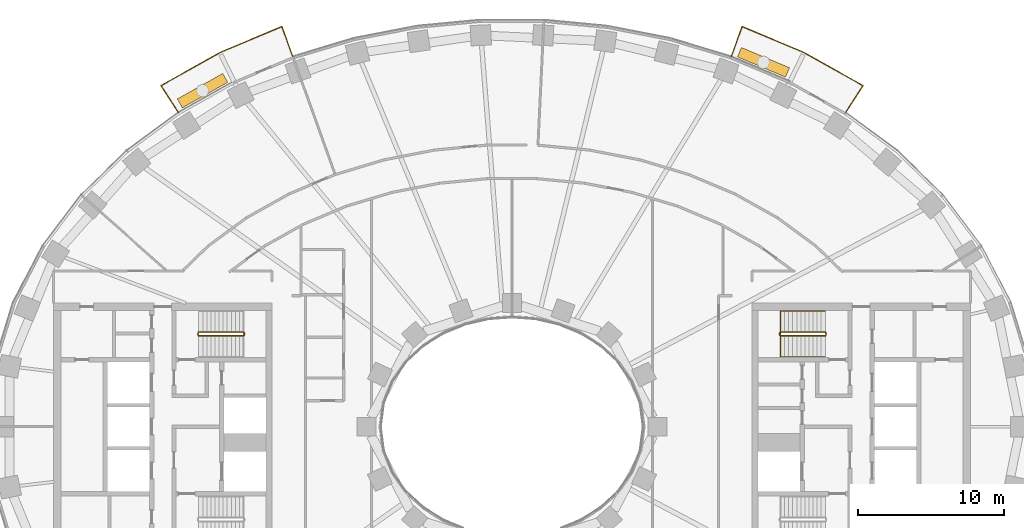
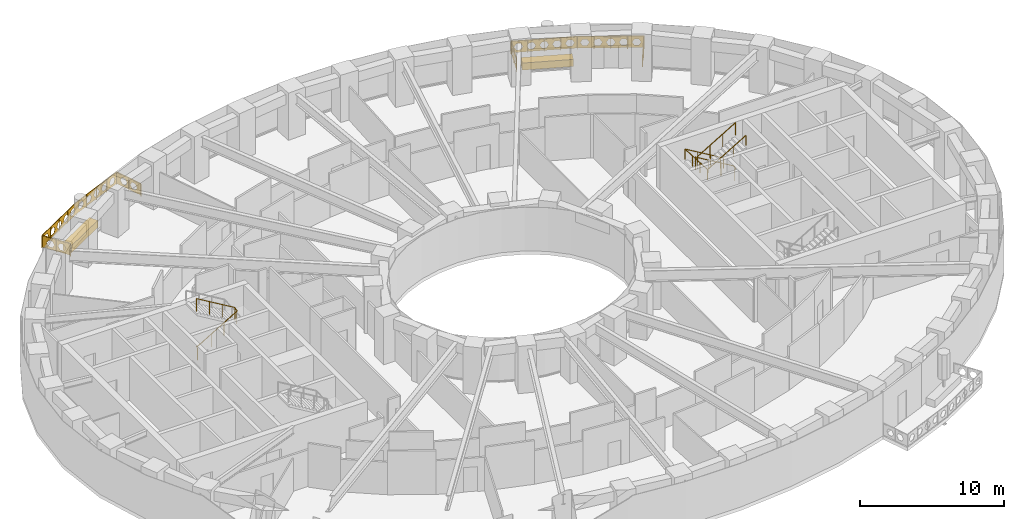
# One storey, part 15 of 16: 5 railings, 2 coverings.
"""IFC4 building model written with IfcOpenShell, lengths in metres."""

from ifc_helpers import new_model, si_unit, direction, frame, origin, origin_2d, place, context, subcontext, project, spatial, polyline, rectangle, outline, extrude, material, type_object, element, save


model = new_model("IFC4")

# Units and contexts
model_context = context("Model", 3, precision=1e-05, world=origin(), true_north=direction((0.0, 1.0)))
body_context = subcontext(model_context, "Body", "Model", "MODEL_VIEW")
ifc_project = project(units=[si_unit("LENGTHUNIT", "METRE"), si_unit("AREAUNIT", "SQUARE_METRE"), si_unit("VOLUMEUNIT", "CUBIC_METRE"), si_unit("PLANEANGLEUNIT", "RADIAN"), si_unit("MASSUNIT", "GRAM", prefix="KILO")], contexts=[model_context])

# Site, building, storey
site_placement = place(None, origin())
site = spatial("IfcSite", under=ifc_project, at=site_placement, CompositionType="ELEMENT")
building_placement = place(site_placement, origin())
building = spatial("IfcBuilding", under=site, at=building_placement, Name="Noorbagh Ring Tower", CompositionType="ELEMENT")
storey_placement = place(building_placement, frame((0.0, 0.0, 74.5)))
storey = spatial("IfcBuildingStorey", under=building, at=storey_placement, Name="L16", CompositionType="ELEMENT", Elevation=74.5)

# Railings
ifc_material_1 = material(Name="Stainless steel", Category="steel")
railing_type_1 = type_object("IfcRailingType", Name="CORE-STAIR-GUARD", PredefinedType="GUARDRAIL", material=ifc_material_1)
railing_1_placement = place(storey_placement, frame((-21.580078125, 6.300048828125, 0.0)))
element("IfcRailing", 1, at=railing_1_placement, inside=storey, type_object=railing_type_1, Name="L16 ST1 stair guard", PredefinedType="GUARDRAIL", context=body_context, shape_type="SweptSolid", body=[
    extrude(rectangle(XDim=0.048095703125, YDim=0.048095703125, at=origin_2d()), frame((0.0, 0.0, 1.076171875), z_axis=(0.0, 1.0, 0.0), x_axis=(-1.0, 0.0, 0.0)), (0.0, 0.0, 1.0), 0.14990234375),
    extrude(rectangle(XDim=0.048095703125, YDim=0.048095703125, at=origin_2d()), frame((0.0, 0.14990234375, 1.076171875), z_axis=(0.188775798145, -0.754182335027, 0.628945707965), x_axis=(0.970072785993, 0.242814311512, 0.0)), (0.0, 0.0, 1.0), 0.26513671875),
    extrude(rectangle(XDim=0.048095703125, YDim=0.048095703125, at=origin_2d()), frame((0.050048828125, -0.050048828125, 1.24267578125), z_axis=(0.859308565015, 0.0, 0.511457515432), x_axis=(0.0, 1.0, 0.0)), (0.0, 0.0, 1.0), 3.58447265625),
    extrude(rectangle(XDim=0.048095703125, YDim=0.048095703125, at=origin_2d()), frame((3.130126953125, -0.050048828125, 3.076171875), z_axis=(0.707106781187, 0.707106781187, 0.0), x_axis=(-0.707106781187, 0.707106781187, 0.0)), (0.0, 0.0, 1.0), 0.07080078125),
    extrude(rectangle(XDim=0.048095703125, YDim=0.048095703125, at=origin_2d()), frame((3.18017578125, 0.0, 3.076171875), z_axis=(0.0, 1.0, 0.0), x_axis=(-1.0, 0.0, 0.0)), (0.0, 0.0, 1.0), 0.14990234375),
    extrude(rectangle(XDim=0.048095703125, YDim=0.048095703125, at=origin_2d()), frame((3.18017578125, 0.14990234375, 3.076171875), z_axis=(-0.27628659633, 0.27628659633, 0.920506074601), x_axis=(-0.707106781187, -0.707106781187, 0.0)), (0.0, 0.0, 1.0), 0.18115234375),
    extrude(rectangle(XDim=0.048095703125, YDim=0.048095703125, at=origin_2d()), frame((3.130126953125, 0.199951171875, 3.24267578125), z_axis=(-0.859308565015, 0.0, 0.511457515432), x_axis=(0.0, -1.0, 0.0)), (0.0, 0.0, 1.0), 3.58447265625),
    extrude(rectangle(XDim=0.0419921875, YDim=0.0419921875, at=origin_2d()), origin(), (0.0, 0.0, 1.0), 1.052001953125),
    extrude(rectangle(XDim=0.0419921875, YDim=0.0419921875, at=origin_2d()), frame((1.07666015625, -0.050048828125, 0.77783203125)), (0.0, 0.0, 1.0), 1.052001953125),
    extrude(rectangle(XDim=0.0419921875, YDim=0.0419921875, at=origin_2d()), frame((2.103515625, -0.050048828125, 1.388916015625)), (0.0, 0.0, 1.0), 1.052001953125),
    extrude(rectangle(XDim=0.0419921875, YDim=0.0419921875, at=origin_2d()), frame((3.130126953125, -0.050048828125, 2.0)), (0.0, 0.0, 1.0), 1.052001953125),
    extrude(rectangle(XDim=0.0419921875, YDim=0.0419921875, at=origin_2d()), frame((3.130126953125, 0.199951171875, 2.166748046875)), (0.0, 0.0, 1.0), 1.052001953125),
    extrude(rectangle(XDim=0.0419921875, YDim=0.0419921875, at=origin_2d()), frame((2.103515625, 0.199951171875, 2.77783203125)), (0.0, 0.0, 1.0), 1.052001953125),
    extrude(rectangle(XDim=0.0419921875, YDim=0.0419921875, at=origin_2d()), frame((1.07666015625, 0.199951171875, 3.388916015625)), (0.0, 0.0, 1.0), 1.052001953125),
    extrude(rectangle(XDim=0.0419921875, YDim=0.0419921875, at=origin_2d()), frame((0.050048828125, 0.199951171875, 4.0)), (0.0, 0.0, 1.0), 1.052001953125),
])
railing_2_placement = place(storey_placement, frame((21.580078125, 6.449951171875, 0.0)))
element("IfcRailing", 2, at=railing_2_placement, inside=storey, type_object=railing_type_1, Name="L16 ST3 stair guard", PredefinedType="GUARDRAIL", context=body_context, shape_type="SweptSolid", body=[
    extrude(rectangle(XDim=0.048095703125, YDim=0.048095703125, at=origin_2d()), frame((0.0, 0.0, 1.076171875), z_axis=(0.0, -1.0, 0.0), x_axis=(1.0, 0.0, 0.0)), (0.0, 0.0, 1.0), 0.14990234375),
    extrude(rectangle(XDim=0.048095703125, YDim=0.048095703125, at=origin_2d()), frame((0.0, -0.14990234375, 1.076171875), z_axis=(-0.188775798145, 0.754182335027, 0.628945707965), x_axis=(-0.970072785993, -0.242814311512, 0.0)), (0.0, 0.0, 1.0), 0.26513671875),
    extrude(rectangle(XDim=0.048095703125, YDim=0.048095703125, at=origin_2d()), frame((-0.050048828125, 0.050048828125, 1.24267578125), z_axis=(-0.859308565015, 0.0, 0.511457515432), x_axis=(0.0, -1.0, 0.0)), (0.0, 0.0, 1.0), 3.58447265625),
    extrude(rectangle(XDim=0.048095703125, YDim=0.048095703125, at=origin_2d()), frame((-3.130126953125, 0.050048828125, 3.076171875), z_axis=(-0.707106781187, -0.707106781187, 0.0), x_axis=(0.707106781187, -0.707106781187, 0.0)), (0.0, 0.0, 1.0), 0.07080078125),
    extrude(rectangle(XDim=0.048095703125, YDim=0.048095703125, at=origin_2d()), frame((-3.18017578125, 0.0, 3.076171875), z_axis=(0.0, -1.0, 0.0), x_axis=(1.0, 0.0, 0.0)), (0.0, 0.0, 1.0), 0.14990234375),
    extrude(rectangle(XDim=0.048095703125, YDim=0.048095703125, at=origin_2d()), frame((-3.18017578125, -0.14990234375, 3.076171875), z_axis=(0.27628659633, -0.27628659633, 0.920506074601), x_axis=(0.707106781187, 0.707106781187, 0.0)), (0.0, 0.0, 1.0), 0.18115234375),
    extrude(rectangle(XDim=0.048095703125, YDim=0.048095703125, at=origin_2d()), frame((-3.130126953125, -0.199951171875, 3.24267578125), z_axis=(0.859308565015, 0.0, 0.511457515432), x_axis=(0.0, 1.0, 0.0)), (0.0, 0.0, 1.0), 3.58447265625),
    extrude(rectangle(XDim=0.0419921875, YDim=0.0419921875, at=origin_2d()), origin(), (0.0, 0.0, 1.0), 1.052001953125),
    extrude(rectangle(XDim=0.0419921875, YDim=0.0419921875, at=origin_2d()), frame((-1.07666015625, 0.050048828125, 0.77783203125)), (0.0, 0.0, 1.0), 1.052001953125),
    extrude(rectangle(XDim=0.0419921875, YDim=0.0419921875, at=origin_2d()), frame((-2.103515625, 0.050048828125, 1.388916015625)), (0.0, 0.0, 1.0), 1.052001953125),
    extrude(rectangle(XDim=0.0419921875, YDim=0.0419921875, at=origin_2d()), frame((-3.130126953125, 0.050048828125, 2.0)), (0.0, 0.0, 1.0), 1.052001953125),
    extrude(rectangle(XDim=0.0419921875, YDim=0.0419921875, at=origin_2d()), frame((-3.130126953125, -0.199951171875, 2.166748046875)), (0.0, 0.0, 1.0), 1.052001953125),
    extrude(rectangle(XDim=0.0419921875, YDim=0.0419921875, at=origin_2d()), frame((-2.103515625, -0.199951171875, 2.77783203125)), (0.0, 0.0, 1.0), 1.052001953125),
    extrude(rectangle(XDim=0.0419921875, YDim=0.0419921875, at=origin_2d()), frame((-1.07666015625, -0.199951171875, 3.388916015625)), (0.0, 0.0, 1.0), 1.052001953125),
    extrude(rectangle(XDim=0.0419921875, YDim=0.0419921875, at=origin_2d()), frame((-0.050048828125, -0.199951171875, 4.0)), (0.0, 0.0, 1.0), 1.052001953125),
])
ifc_material_2 = material(Name="Stainless steel", Category="steel")
railing_type_2 = type_object("IfcRailingType", Name="CORE-STAIR-HANDRAIL", PredefinedType="HANDRAIL", material=ifc_material_2)
railing_3_placement = place(storey_placement, frame((21.530029296875, 7.949951171875, 0.166748046875)))
element("IfcRailing", 3, at=railing_3_placement, inside=storey, type_object=railing_type_2, Name="L16 ST3 stair handrail", PredefinedType="HANDRAIL", context=body_context, shape_type="SweptSolid", body=[
    extrude(rectangle(XDim=0.048095703125, YDim=0.048095703125, at=origin_2d()), frame((0.0, 0.0, 0.8759765625), z_axis=(-0.859308565015, 0.0, 0.511457515432), x_axis=(0.0, -1.0, 0.0)), (0.0, 0.0, 1.0), 3.58447265625),
    extrude(rectangle(XDim=0.048095703125, YDim=0.048095703125, at=origin_2d()), frame((-3.080078125, 0.0, 2.708984375), z_axis=(0.0, -0.998601747152, 0.052863509014), x_axis=(1.0, 0.0, 0.0)), (0.0, 0.0, 1.0), 3.154296875),
    extrude(rectangle(XDim=0.048095703125, YDim=0.048095703125, at=origin_2d()), frame((-3.080078125, -3.14990234375, 2.8759765625), z_axis=(0.859308565015, 0.0, 0.511457515432), x_axis=(0.0, 1.0, 0.0)), (0.0, 0.0, 1.0), 3.58447265625),
    extrude(rectangle(XDim=0.0419921875, YDim=0.0419921875, at=origin_2d()), origin(), (0.0, 0.0, 1.0), 0.851806640625),
    extrude(rectangle(XDim=0.0419921875, YDim=0.0419921875, at=origin_2d()), frame((-1.026611328125, 0.0, 0.611083984375)), (0.0, 0.0, 1.0), 0.851806640625),
    extrude(rectangle(XDim=0.0419921875, YDim=0.0419921875, at=origin_2d()), frame((-2.053466796875, 0.0, 1.22216796875)), (0.0, 0.0, 1.0), 0.851806640625),
    extrude(rectangle(XDim=0.0419921875, YDim=0.0419921875, at=origin_2d()), frame((-3.080078125, 0.0, 1.833251953125)), (0.0, 0.0, 1.0), 0.851806640625),
    extrude(rectangle(XDim=0.0419921875, YDim=0.0419921875, at=origin_2d()), frame((-3.080078125, -1.050048828125, 1.888916015625)), (0.0, 0.0, 1.0), 0.851806640625),
    extrude(rectangle(XDim=0.0419921875, YDim=0.0419921875, at=origin_2d()), frame((-3.080078125, -2.099853515625, 1.9443359375)), (0.0, 0.0, 1.0), 0.851806640625),
    extrude(rectangle(XDim=0.0419921875, YDim=0.0419921875, at=origin_2d()), frame((-3.080078125, -3.14990234375, 2.0)), (0.0, 0.0, 1.0), 0.851806640625),
    extrude(rectangle(XDim=0.0419921875, YDim=0.0419921875, at=origin_2d()), frame((-2.053466796875, -3.14990234375, 2.611083984375)), (0.0, 0.0, 1.0), 0.851806640625),
    extrude(rectangle(XDim=0.0419921875, YDim=0.0419921875, at=origin_2d()), frame((-1.026611328125, -3.14990234375, 3.22216796875)), (0.0, 0.0, 1.0), 0.851806640625),
    extrude(rectangle(XDim=0.0419921875, YDim=0.0419921875, at=origin_2d()), frame((0.0, -3.14990234375, 3.833251953125)), (0.0, 0.0, 1.0), 0.851806640625),
])
ifc_material_3 = material(Name="Steel S275 black powder-coated", Category="steel")
railing_type_3 = type_object("IfcRailingType", Name="ENV-GUARD", PredefinedType="GUARDRAIL", material=ifc_material_3)
railing_4_placement = place(storey_placement, frame((22.9326171875, 21.583740234375, 0.0)))
element("IfcRailing", 4, at=railing_4_placement, inside=storey, type_object=railing_type_3, Name="Balcony guard BN02", PredefinedType="GUARDRAIL", context=body_context, shape_type="SweptSolid", body=[
    extrude(rectangle(XDim=0.048095703125, YDim=0.048095703125, at=origin_2d()), frame((0.0, 0.0, 1.076171875), z_axis=(0.542268136821, 0.840205491406, 0.0), x_axis=(-0.840205491406, 0.542268136821, 0.0)), (0.0, 0.0, 1.0), 2.204345703125),
    extrude(rectangle(XDim=0.048095703125, YDim=0.048095703125, at=origin_2d()), frame((1.1953125, 1.85205078125, 1.076171875), z_axis=(-0.872052247658, 0.489412788303, 0.0), x_axis=(-0.489412788303, -0.872052247658, 0.0)), (0.0, 0.0, 1.0), 4.646240234375),
    extrude(rectangle(XDim=0.048095703125, YDim=0.048095703125, at=origin_2d()), frame((-2.8564453125, 4.1259765625, 1.076171875), z_axis=(-0.921809087722, 0.387644174203, 0.0), x_axis=(-0.387644174203, -0.921809087722, 0.0)), (0.0, 0.0, 1.0), 4.627197265625),
    extrude(rectangle(XDim=0.048095703125, YDim=0.048095703125, at=origin_2d()), frame((-7.121826171875, 5.919677734375, 1.076171875), z_axis=(-0.338350546839, -0.941020141896, 0.0), x_axis=(0.941020141896, -0.338350546839, 0.0)), (0.0, 0.0, 1.0), 2.202880859375),
    extrude(rectangle(XDim=0.0419921875, YDim=0.0419921875, at=origin_2d()), origin(), (0.0, 0.0, 1.0), 1.052001953125),
    extrude(rectangle(XDim=0.0419921875, YDim=0.0419921875, at=origin_2d()), frame((0.59765625, 0.926025390625, 0.0)), (0.0, 0.0, 1.0), 1.052001953125),
    extrude(rectangle(XDim=0.0419921875, YDim=0.0419921875, at=origin_2d()), frame((1.1953125, 1.85205078125, 0.0)), (0.0, 0.0, 1.0), 1.052001953125),
    extrude(rectangle(XDim=0.0419921875, YDim=0.0419921875, at=origin_2d()), frame((0.182373046875, 2.42041015625, 0.0)), (0.0, 0.0, 1.0), 1.052001953125),
    extrude(rectangle(XDim=0.0419921875, YDim=0.0419921875, at=origin_2d()), frame((-0.83056640625, 2.989013671875, 0.0)), (0.0, 0.0, 1.0), 1.052001953125),
    extrude(rectangle(XDim=0.0419921875, YDim=0.0419921875, at=origin_2d()), frame((-1.843505859375, 3.5576171875, 0.0)), (0.0, 0.0, 1.0), 1.052001953125),
    extrude(rectangle(XDim=0.0419921875, YDim=0.0419921875, at=origin_2d()), frame((-2.8564453125, 4.1259765625, 0.0)), (0.0, 0.0, 1.0), 1.052001953125),
    extrude(rectangle(XDim=0.0419921875, YDim=0.0419921875, at=origin_2d()), frame((-3.9228515625, 4.574462890625, 0.0)), (0.0, 0.0, 1.0), 1.052001953125),
    extrude(rectangle(XDim=0.0419921875, YDim=0.0419921875, at=origin_2d()), frame((-4.9892578125, 5.02294921875, 0.0)), (0.0, 0.0, 1.0), 1.052001953125),
    extrude(rectangle(XDim=0.0419921875, YDim=0.0419921875, at=origin_2d()), frame((-6.055419921875, 5.47119140625, 0.0)), (0.0, 0.0, 1.0), 1.052001953125),
    extrude(rectangle(XDim=0.0419921875, YDim=0.0419921875, at=origin_2d()), frame((-7.121826171875, 5.919677734375, 0.0)), (0.0, 0.0, 1.0), 1.052001953125),
    extrude(rectangle(XDim=0.0419921875, YDim=0.0419921875, at=origin_2d()), frame((-7.49462890625, 4.88330078125, 0.0)), (0.0, 0.0, 1.0), 1.052001953125),
    extrude(rectangle(XDim=0.0419921875, YDim=0.0419921875, at=origin_2d()), frame((-7.8671875, 3.8466796875, 0.0)), (0.0, 0.0, 1.0), 1.052001953125),
    extrude(outline(polyline([(0.0, 0.10009765625), (2.204345703125, 0.10009765625), (2.204345703125, 1.031982421875), (0.0, 1.031982421875), (0.0, 0.10009765625)]), holes=[polyline([(0.962158203125, 0.56591796875), (0.80712890625, 0.83447265625), (0.4970703125, 0.83447265625), (0.342041015625, 0.56591796875), (0.4970703125, 0.297607421875), (0.80712890625, 0.297607421875), (0.962158203125, 0.56591796875)]), polyline([(1.862060546875, 0.56591796875), (1.70703125, 0.83447265625), (1.397216796875, 0.83447265625), (1.2421875, 0.56591796875), (1.397216796875, 0.297607421875), (1.70703125, 0.297607421875), (1.862060546875, 0.56591796875)])]), frame((-0.00830078125, 0.00537109375, 0.0), z_axis=(0.840205491406, -0.542268136821, 0.0), x_axis=(0.542268136821, 0.840205491406, 0.0)), (0.0, 0.0, 1.0), 0.02001953125),
    extrude(outline(polyline([(0.0, 0.10009765625), (4.646240234375, 0.10009765625), (4.646240234375, 1.031982421875), (0.0, 1.031982421875), (0.0, 0.10009765625)]), holes=[polyline([(0.8330078125, 0.56591796875), (0.67822265625, 0.83447265625), (0.3681640625, 0.83447265625), (0.213134765625, 0.56591796875), (0.3681640625, 0.297607421875), (0.67822265625, 0.297607421875), (0.8330078125, 0.56591796875)]), polyline([(1.733154296875, 0.56591796875), (1.578125, 0.83447265625), (1.26806640625, 0.83447265625), (1.113037109375, 0.56591796875), (1.26806640625, 0.297607421875), (1.578125, 0.297607421875), (1.733154296875, 0.56591796875)]), polyline([(2.633056640625, 0.56591796875), (2.47802734375, 0.83447265625), (2.168212890625, 0.83447265625), (2.01318359375, 0.56591796875), (2.168212890625, 0.297607421875), (2.47802734375, 0.297607421875), (2.633056640625, 0.56591796875)]), polyline([(3.533203125, 0.56591796875), (3.378173828125, 0.83447265625), (3.068115234375, 0.83447265625), (2.9130859375, 0.56591796875), (3.068115234375, 0.297607421875), (3.378173828125, 0.297607421875), (3.533203125, 0.56591796875)]), polyline([(4.43310546875, 0.56591796875), (4.278076171875, 0.83447265625), (3.968017578125, 0.83447265625), (3.813232421875, 0.56591796875), (3.968017578125, 0.297607421875), (4.278076171875, 0.297607421875), (4.43310546875, 0.56591796875)])]), frame((1.1904296875, 1.84326171875, 0.0), z_axis=(0.489412788303, 0.872052247658, 0.0), x_axis=(-0.872052247658, 0.489412788303, 0.0)), (0.0, 0.0, 1.0), 0.02001953125),
    extrude(outline(polyline([(0.0, 0.10009765625), (4.627197265625, 0.10009765625), (4.627197265625, 1.031982421875), (0.0, 1.031982421875), (0.0, 0.10009765625)]), holes=[polyline([(0.823486328125, 0.56591796875), (0.668701171875, 0.83447265625), (0.358642578125, 0.83447265625), (0.20361328125, 0.56591796875), (0.358642578125, 0.297607421875), (0.668701171875, 0.297607421875), (0.823486328125, 0.56591796875)]), polyline([(1.7236328125, 0.56591796875), (1.568603515625, 0.83447265625), (1.258544921875, 0.83447265625), (1.103515625, 0.56591796875), (1.258544921875, 0.297607421875), (1.568603515625, 0.297607421875), (1.7236328125, 0.56591796875)]), polyline([(2.62353515625, 0.56591796875), (2.468505859375, 0.83447265625), (2.15869140625, 0.83447265625), (2.003662109375, 0.56591796875), (2.15869140625, 0.297607421875), (2.468505859375, 0.297607421875), (2.62353515625, 0.56591796875)]), polyline([(3.523681640625, 0.56591796875), (3.36865234375, 0.83447265625), (3.05859375, 0.83447265625), (2.903564453125, 0.56591796875), (3.05859375, 0.297607421875), (3.36865234375, 0.297607421875), (3.523681640625, 0.56591796875)]), polyline([(4.423583984375, 0.56591796875), (4.2685546875, 0.83447265625), (3.95849609375, 0.83447265625), (3.8037109375, 0.56591796875), (3.95849609375, 0.297607421875), (4.2685546875, 0.297607421875), (4.423583984375, 0.56591796875)])]), frame((-2.8603515625, 4.11669921875, 0.0), z_axis=(0.387644174203, 0.921809087722, 0.0), x_axis=(-0.921809087722, 0.387644174203, 0.0)), (0.0, 0.0, 1.0), 0.02001953125),
    extrude(outline(polyline([(0.0, 0.10009765625), (2.202880859375, 0.10009765625), (2.202880859375, 1.031982421875), (0.0, 1.031982421875), (0.0, 0.10009765625)]), holes=[polyline([(0.96142578125, 0.56591796875), (0.806396484375, 0.83447265625), (0.49658203125, 0.83447265625), (0.341552734375, 0.56591796875), (0.49658203125, 0.297607421875), (0.806396484375, 0.297607421875), (0.96142578125, 0.56591796875)]), polyline([(1.861572265625, 0.56591796875), (1.70654296875, 0.83447265625), (1.396484375, 0.83447265625), (1.241455078125, 0.56591796875), (1.396484375, 0.297607421875), (1.70654296875, 0.297607421875), (1.861572265625, 0.56591796875)])]), frame((-7.1123046875, 5.916259765625, 0.0), z_axis=(-0.941020141896, 0.338350546839, 0.0), x_axis=(-0.338350546839, -0.941020141896, 0.0)), (0.0, 0.0, 1.0), 0.02001953125),
])
railing_5_placement = place(storey_placement, frame((-15.0654296875, 25.430419921875, 0.0)))
element("IfcRailing", 5, at=railing_5_placement, inside=storey, type_object=railing_type_3, Name="Balcony guard BN05", PredefinedType="GUARDRAIL", context=body_context, shape_type="SweptSolid", body=[
    extrude(rectangle(XDim=0.048095703125, YDim=0.048095703125, at=origin_2d()), frame((0.0, 0.0, 1.076171875), z_axis=(-0.338350546839, 0.941020141896, 0.0), x_axis=(-0.941020141896, -0.338350546839, 0.0)), (0.0, 0.0, 1.0), 2.202880859375),
    extrude(rectangle(XDim=0.048095703125, YDim=0.048095703125, at=origin_2d()), frame((-0.745361328125, 2.072998046875, 1.076171875), z_axis=(-0.921809087722, -0.387644174203, 0.0), x_axis=(0.387644174203, -0.921809087722, 0.0)), (0.0, 0.0, 1.0), 4.627197265625),
    extrude(rectangle(XDim=0.048095703125, YDim=0.048095703125, at=origin_2d()), frame((-5.0107421875, 0.279296875, 1.076171875), z_axis=(-0.872052247658, -0.489412788303, 0.0), x_axis=(0.489412788303, -0.872052247658, 0.0)), (0.0, 0.0, 1.0), 4.646240234375),
    extrude(rectangle(XDim=0.048095703125, YDim=0.048095703125, at=origin_2d()), frame((-9.0625, -1.99462890625, 1.076171875), z_axis=(0.542268136821, -0.840205491406, 0.0), x_axis=(0.840205491406, 0.542268136821, 0.0)), (0.0, 0.0, 1.0), 2.204345703125),
    extrude(rectangle(XDim=0.0419921875, YDim=0.0419921875, at=origin_2d()), origin(), (0.0, 0.0, 1.0), 1.052001953125),
    extrude(rectangle(XDim=0.0419921875, YDim=0.0419921875, at=origin_2d()), frame((-0.37255859375, 1.03662109375, 0.0)), (0.0, 0.0, 1.0), 1.052001953125),
    extrude(rectangle(XDim=0.0419921875, YDim=0.0419921875, at=origin_2d()), frame((-0.745361328125, 2.072998046875, 0.0)), (0.0, 0.0, 1.0), 1.052001953125),
    extrude(rectangle(XDim=0.0419921875, YDim=0.0419921875, at=origin_2d()), frame((-1.811767578125, 1.62451171875, 0.0)), (0.0, 0.0, 1.0), 1.052001953125),
    extrude(rectangle(XDim=0.0419921875, YDim=0.0419921875, at=origin_2d()), frame((-2.8779296875, 1.17626953125, 0.0)), (0.0, 0.0, 1.0), 1.052001953125),
    extrude(rectangle(XDim=0.0419921875, YDim=0.0419921875, at=origin_2d()), frame((-3.9443359375, 0.727783203125, 0.0)), (0.0, 0.0, 1.0), 1.052001953125),
    extrude(rectangle(XDim=0.0419921875, YDim=0.0419921875, at=origin_2d()), frame((-5.0107421875, 0.279296875, 0.0)), (0.0, 0.0, 1.0), 1.052001953125),
    extrude(rectangle(XDim=0.0419921875, YDim=0.0419921875, at=origin_2d()), frame((-6.023681640625, -0.2890625, 0.0)), (0.0, 0.0, 1.0), 1.052001953125),
    extrude(rectangle(XDim=0.0419921875, YDim=0.0419921875, at=origin_2d()), frame((-7.03662109375, -0.857666015625, 0.0)), (0.0, 0.0, 1.0), 1.052001953125),
    extrude(rectangle(XDim=0.0419921875, YDim=0.0419921875, at=origin_2d()), frame((-8.049560546875, -1.42626953125, 0.0)), (0.0, 0.0, 1.0), 1.052001953125),
    extrude(rectangle(XDim=0.0419921875, YDim=0.0419921875, at=origin_2d()), frame((-9.0625, -1.99462890625, 0.0)), (0.0, 0.0, 1.0), 1.052001953125),
    extrude(rectangle(XDim=0.0419921875, YDim=0.0419921875, at=origin_2d()), frame((-8.46484375, -2.920654296875, 0.0)), (0.0, 0.0, 1.0), 1.052001953125),
    extrude(rectangle(XDim=0.0419921875, YDim=0.0419921875, at=origin_2d()), frame((-7.8671875, -3.8466796875, 0.0)), (0.0, 0.0, 1.0), 1.052001953125),
    extrude(outline(polyline([(0.0, 0.10009765625), (2.202880859375, 0.10009765625), (2.202880859375, 1.031982421875), (0.0, 1.031982421875), (0.0, 0.10009765625)]), holes=[polyline([(0.96142578125, 0.56591796875), (0.806396484375, 0.83447265625), (0.49658203125, 0.83447265625), (0.341552734375, 0.56591796875), (0.49658203125, 0.297607421875), (0.806396484375, 0.297607421875), (0.96142578125, 0.56591796875)]), polyline([(1.861572265625, 0.56591796875), (1.70654296875, 0.83447265625), (1.396484375, 0.83447265625), (1.241455078125, 0.56591796875), (1.396484375, 0.297607421875), (1.70654296875, 0.297607421875), (1.861572265625, 0.56591796875)])]), frame((-0.009521484375, -0.00341796875, 0.0), z_axis=(0.941020141896, 0.338350546839, 0.0), x_axis=(-0.338350546839, 0.941020141896, 0.0)), (0.0, 0.0, 1.0), 0.02001953125),
    extrude(outline(polyline([(0.0, 0.10009765625), (4.627197265625, 0.10009765625), (4.627197265625, 1.031982421875), (0.0, 1.031982421875), (0.0, 0.10009765625)]), holes=[polyline([(0.823486328125, 0.56591796875), (0.668701171875, 0.83447265625), (0.358642578125, 0.83447265625), (0.20361328125, 0.56591796875), (0.358642578125, 0.297607421875), (0.668701171875, 0.297607421875), (0.823486328125, 0.56591796875)]), polyline([(1.7236328125, 0.56591796875), (1.568603515625, 0.83447265625), (1.258544921875, 0.83447265625), (1.103515625, 0.56591796875), (1.258544921875, 0.297607421875), (1.568603515625, 0.297607421875), (1.7236328125, 0.56591796875)]), polyline([(2.62353515625, 0.56591796875), (2.468505859375, 0.83447265625), (2.15869140625, 0.83447265625), (2.003662109375, 0.56591796875), (2.15869140625, 0.297607421875), (2.468505859375, 0.297607421875), (2.62353515625, 0.56591796875)]), polyline([(3.523681640625, 0.56591796875), (3.36865234375, 0.83447265625), (3.05859375, 0.83447265625), (2.903564453125, 0.56591796875), (3.05859375, 0.297607421875), (3.36865234375, 0.297607421875), (3.523681640625, 0.56591796875)]), polyline([(4.423583984375, 0.56591796875), (4.2685546875, 0.83447265625), (3.95849609375, 0.83447265625), (3.8037109375, 0.56591796875), (3.95849609375, 0.297607421875), (4.2685546875, 0.297607421875), (4.423583984375, 0.56591796875)])]), frame((-0.741455078125, 2.063720703125, 0.0), z_axis=(-0.387644174203, 0.921809087722, 0.0), x_axis=(-0.921809087722, -0.387644174203, 0.0)), (0.0, 0.0, 1.0), 0.02001953125),
    extrude(outline(polyline([(0.0, 0.10009765625), (4.646240234375, 0.10009765625), (4.646240234375, 1.031982421875), (0.0, 1.031982421875), (0.0, 0.10009765625)]), holes=[polyline([(0.8330078125, 0.56591796875), (0.67822265625, 0.83447265625), (0.3681640625, 0.83447265625), (0.213134765625, 0.56591796875), (0.3681640625, 0.297607421875), (0.67822265625, 0.297607421875), (0.8330078125, 0.56591796875)]), polyline([(1.733154296875, 0.56591796875), (1.578125, 0.83447265625), (1.26806640625, 0.83447265625), (1.113037109375, 0.56591796875), (1.26806640625, 0.297607421875), (1.578125, 0.297607421875), (1.733154296875, 0.56591796875)]), polyline([(2.633056640625, 0.56591796875), (2.47802734375, 0.83447265625), (2.168212890625, 0.83447265625), (2.01318359375, 0.56591796875), (2.168212890625, 0.297607421875), (2.47802734375, 0.297607421875), (2.633056640625, 0.56591796875)]), polyline([(3.533203125, 0.56591796875), (3.378173828125, 0.83447265625), (3.068115234375, 0.83447265625), (2.9130859375, 0.56591796875), (3.068115234375, 0.297607421875), (3.378173828125, 0.297607421875), (3.533203125, 0.56591796875)]), polyline([(4.43310546875, 0.56591796875), (4.278076171875, 0.83447265625), (3.968017578125, 0.83447265625), (3.813232421875, 0.56591796875), (3.968017578125, 0.297607421875), (4.278076171875, 0.297607421875), (4.43310546875, 0.56591796875)])]), frame((-5.005859375, 0.2705078125, 0.0), z_axis=(-0.489412788303, 0.872052247658, 0.0), x_axis=(-0.872052247658, -0.489412788303, 0.0)), (0.0, 0.0, 1.0), 0.02001953125),
    extrude(outline(polyline([(0.0, 0.10009765625), (2.204345703125, 0.10009765625), (2.204345703125, 1.031982421875), (0.0, 1.031982421875), (0.0, 0.10009765625)]), holes=[polyline([(0.962158203125, 0.56591796875), (0.80712890625, 0.83447265625), (0.4970703125, 0.83447265625), (0.342041015625, 0.56591796875), (0.4970703125, 0.297607421875), (0.80712890625, 0.297607421875), (0.962158203125, 0.56591796875)]), polyline([(1.862060546875, 0.56591796875), (1.70703125, 0.83447265625), (1.397216796875, 0.83447265625), (1.2421875, 0.56591796875), (1.397216796875, 0.297607421875), (1.70703125, 0.297607421875), (1.862060546875, 0.56591796875)])]), frame((-9.05419921875, -1.9892578125, 0.0), z_axis=(-0.840205491406, -0.542268136821, 0.0), x_axis=(0.542268136821, -0.840205491406, 0.0)), (0.0, 0.0, 1.0), 0.02001953125),
])

# Coverings
ifc_material_4 = material(Name="Concrete C30/37 planter with soil", Category="concrete")
covering_type = type_object("IfcCoveringType", Name="ENV-PLANTER", PredefinedType="CLADDING", material=ifc_material_4)
covering_1_placement = place(storey_placement, frame((17.280517578125, 25.041259765625, 0.0), z_axis=(0.0, 0.0, 1.0), x_axis=(-0.921811566494, 0.387638279686, 0.0)))
element("IfcCovering", 6, at=covering_1_placement, inside=storey, type_object=covering_type, Name="PLANTER BN02", ObjectType="PLANTER", PredefinedType="CLADDING", context=body_context, shape_type="SweptSolid", body=[
    extrude(rectangle(XDim=3.5859375, YDim=0.699951171875, at=origin_2d()), origin(), (0.0, 0.0, 1.0), 0.60009765625),
])
covering_2_placement = place(storey_placement, frame((-21.26513671875, 23.093017578125, 0.0), z_axis=(0.0, 0.0, 1.0), x_axis=(-0.872044586249, -0.48942643941, 0.0)))
element("IfcCovering", 7, at=covering_2_placement, inside=storey, type_object=covering_type, Name="PLANTER BN05", ObjectType="PLANTER", PredefinedType="CLADDING", context=body_context, shape_type="SweptSolid", body=[
    extrude(rectangle(XDim=3.58544921875, YDim=0.699951171875, at=origin_2d()), origin(), (0.0, 0.0, 1.0), 0.60009765625),
])

save(model, "model.ifc")
